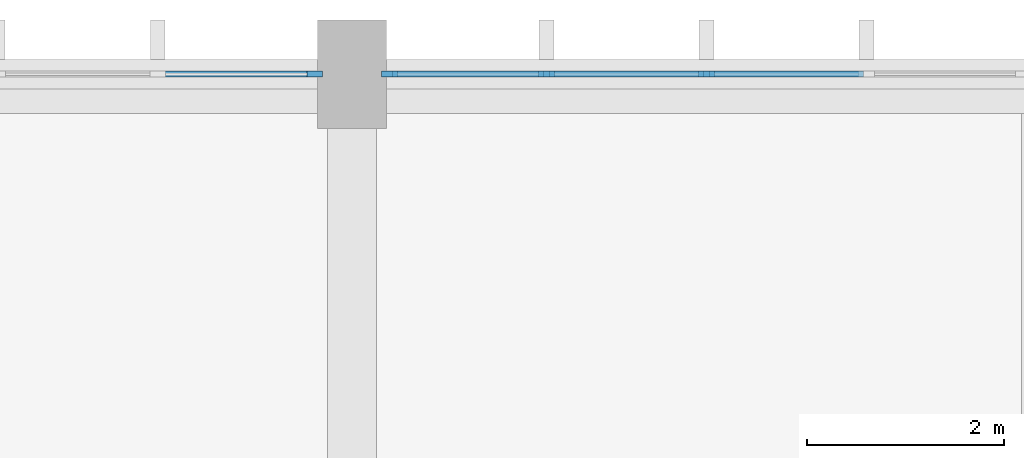
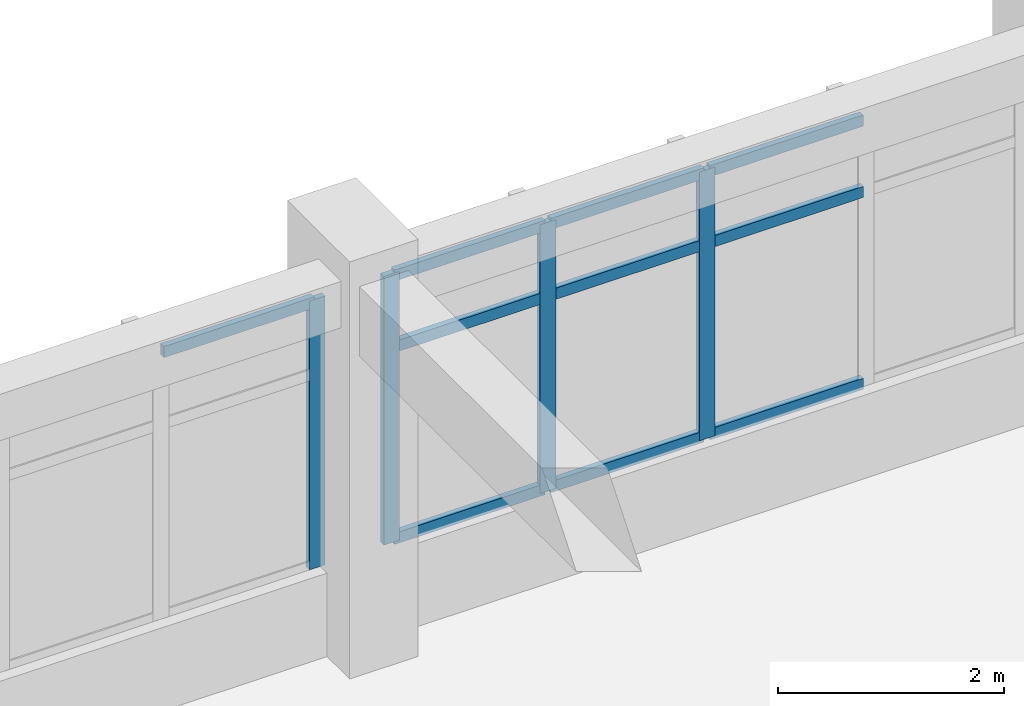
# One storey, part 20 of 52: 14 members, 2 elements without a shape of their own.
"""IFC4 building model written with IfcOpenShell, lengths in metres."""

import ifcopenshell
import ifcopenshell.guid

model = None  # the IFC model being written
_history = None  # IfcOwnerHistory: only IFC2X3 demands one
_inside = {}  # id of a spatial element -> (the spatial element, [elements in it])
_under = {}  # id of a project, library or spatial element -> (it, [spatial elements below it])
_declared = {}  # id of a project -> (the project, [libraries it declares])
_typed = {}  # id of a type object -> (the type object, [elements of that type])
_made_of = {}  # id of a material, layer set ... -> (it, [elements and type objects made of it])


def new_model(schema):
    """Start an empty IFC model of exactly this schema.

    Asked for "IFC4X3", IfcOpenShell would pick the latest addendum, in which some entities
    have other attributes; the version numbers below select the first issue.
    IFC2X3 requires an IfcOwnerHistory on every rooted entity: one is made here for all.
    """
    global model, _history
    if schema == "IFC4X3":
        model = ifcopenshell.file(schema_version=(4, 3, 0, 0))
    else:
        model = ifcopenshell.file(schema=schema)
    _inside.clear()
    _under.clear()
    _declared.clear()
    _typed.clear()
    _made_of.clear()
    _history = None
    if model.schema == "IFC2X3":
        org = make("IfcOrganization", Name="unknown")
        user = make(
            "IfcPersonAndOrganization",
            ThePerson=make("IfcPerson", FamilyName="unknown"),
            TheOrganization=org,
        )
        app = make(
            "IfcApplication",
            ApplicationDeveloper=org,
            Version="unknown",
            ApplicationFullName="unknown",
            ApplicationIdentifier="unknown",
        )
        _history = make(
            "IfcOwnerHistory",
            OwningUser=user,
            OwningApplication=app,
            ChangeAction="ADDED",
            CreationDate=0,
        )
    return model


def make(cls, **values):
    """One entity of the class cls with the attributes given. An attribute that is None is left unset."""
    return model.create_entity(
        cls, **{name: value for name, value in values.items() if value is not None}
    )


def rooted(cls, **values):
    """An entity with a GlobalId (a new one), such as an element, a storey or a relation."""
    return make(cls, GlobalId=ifcopenshell.guid.new(), OwnerHistory=_history, **values)


def si_unit(unit_type, name, prefix=None):
    """IfcSIUnit, for example si_unit("LENGTHUNIT", "METRE", prefix="MILLI")."""
    return make("IfcSIUnit", UnitType=unit_type, Prefix=prefix, Name=name)


def assignment(units):
    """IfcUnitAssignment: the units of a project."""
    return None if units is None else make("IfcUnitAssignment", Units=units)


def point(xyz):
    """IfcCartesianPoint."""
    return None if xyz is None else make("IfcCartesianPoint", Coordinates=xyz)


def direction(xyz):
    """IfcDirection."""
    return None if xyz is None else make("IfcDirection", DirectionRatios=xyz)


def frame(location, z_axis=None, x_axis=None):
    """IfcAxis2Placement3D, a coordinate frame: its origin and axes. An axis left out is left unset."""
    return make(
        "IfcAxis2Placement3D",
        Location=point(location),
        Axis=direction(z_axis),
        RefDirection=direction(x_axis),
    )


def frame_2d(location, x_axis=None):
    """IfcAxis2Placement2D, a coordinate frame in the plane: its origin and x axis."""
    return make(
        "IfcAxis2Placement2D", Location=point(location), RefDirection=direction(x_axis)
    )


def origin():
    """The frame at (0, 0, 0) with its axes left unset."""
    return frame((0.0, 0.0, 0.0))


def origin_2d():
    """The frame at (0, 0) in the plane with its x axis left unset."""
    return frame_2d((0.0, 0.0))


def place(relative_to, where):
    """IfcLocalPlacement: puts the frame where relative to a parent placement (None: the world)."""
    return make(
        "IfcLocalPlacement", PlacementRelTo=relative_to, RelativePlacement=where
    )


def context(
    kind, dimensions, precision=None, world=None, true_north=None, identifier=None
):
    """IfcGeometricRepresentationContext, for example the 3D "Model" context."""
    return make(
        "IfcGeometricRepresentationContext",
        ContextIdentifier=identifier,
        ContextType=kind,
        CoordinateSpaceDimension=dimensions,
        Precision=precision,
        WorldCoordinateSystem=world,
        TrueNorth=true_north,
    )


def subcontext(parent, identifier, kind, view, scale=None):
    """IfcGeometricRepresentationSubContext, for example "Body" below "Model"."""
    return make(
        "IfcGeometricRepresentationSubContext",
        ContextIdentifier=identifier,
        ContextType=kind,
        ParentContext=parent,
        TargetScale=scale,
        TargetView=view,
    )


def project(units=None, contexts=None):
    """IfcProject with its units and contexts."""
    return rooted(
        "IfcProject",
        Name="project",
        RepresentationContexts=contexts,
        UnitsInContext=assignment(units),
    )


def spatial(cls, under=None, at=None, **own):
    """A site, building, storey or space (cls), placed at a placement, below another one or the project."""
    s = rooted(cls, ObjectPlacement=at, **own)
    if under is not None:
        _under.setdefault(under.id(), (under, []))[1].append(s)
    return s


def profile(cls, at=None, kind="AREA", **sizes):
    """A parametric profile (cls). Its sizes go by their IFC names, for example OverallWidth=200.0."""
    return make(cls, ProfileType=kind, Position=at, **sizes)


def rectangle(**sizes):
    """IfcRectangleProfileDef."""
    return profile("IfcRectangleProfileDef", **sizes)


def extrude(swept, where, along, depth):
    """IfcExtrudedAreaSolid: the profile swept, set in the frame where, extruded along a direction by depth."""
    return make(
        "IfcExtrudedAreaSolid",
        SweptArea=swept,
        Position=where,
        ExtrudedDirection=direction(along),
        Depth=depth,
    )


def shape(context_of_items, identifier, shape_type, items):
    """IfcShapeRepresentation: the items that make up one representation, for example the "Body"."""
    return make(
        "IfcShapeRepresentation",
        ContextOfItems=context_of_items,
        RepresentationIdentifier=identifier,
        RepresentationType=shape_type,
        Items=items,
    )


def material(Name=None, Category=None):
    """IfcMaterial."""
    return make("IfcMaterial", Name=Name, Category=Category)


def layer(
    of_material, thickness, ventilated=None, Name=None, Category=None, Priority=None
):
    """IfcMaterialLayer: one layer of a wall or slab, of a material (None: an air gap)."""
    return make(
        "IfcMaterialLayer",
        Material=of_material,
        LayerThickness=thickness,
        IsVentilated=ventilated,
        Name=Name,
        Category=Category,
        Priority=Priority,
    )


def layer_set(layers, Name=None):
    """IfcMaterialLayerSet."""
    return make("IfcMaterialLayerSet", MaterialLayers=layers, LayerSetName=Name)


def material_profile(
    of_material, cross_section, Name=None, Category=None, Priority=None
):
    """IfcMaterialProfile: a cross section and its material."""
    return make(
        "IfcMaterialProfile",
        Name=Name,
        Material=of_material,
        Profile=cross_section,
        Priority=Priority,
        Category=Category,
    )


def profile_set(profiles, Name=None, composite=None):
    """IfcMaterialProfileSet."""
    return make(
        "IfcMaterialProfileSet",
        Name=Name,
        MaterialProfiles=profiles,
        CompositeProfile=composite,
    )


def made_of(thing, what):
    """Note that an element or type object is made of a material, layer set ...; save() writes the relation."""
    if what is not None:
        _made_of.setdefault(what.id(), (what, []))[1].append(thing)
    return thing


def type_object(cls, material=None, **own):
    """A type object (cls), such as IfcWallType, which elements share."""
    return made_of(rooted(cls, **own), material)


def element(
    cls,
    number,
    at=None,
    inside=None,
    cuts=None,
    type_object=None,
    material=None,
    context=None,
    identifier="Body",
    shape_type=None,
    held_by="IfcProductDefinitionShape",
    body=None,
    shapes=None,
    **own,
):
    """One element of the class cls, such as IfcWall. Its Tag is "e" and its number.

    at: its placement. inside: the storey or other place that contains it. cuts: it is an
    opening in that element (IfcRelVoidsElement). A single representation is given by context,
    identifier, shape_type and body (its items); several are given by shapes. held_by: the class
    of the entity that holds the representations. save() writes the other relations.
    """
    e = rooted(cls, Tag="e%d" % number, ObjectPlacement=at, **own)
    if body is not None:
        shapes = [shape(context, identifier, shape_type, body)]
    if shapes is not None:
        e.Representation = make(held_by, Representations=shapes)
    if inside is not None:
        _inside.setdefault(inside.id(), (inside, []))[1].append(e)
    if cuts is not None:
        rooted(
            "IfcRelVoidsElement", RelatingBuildingElement=cuts, RelatedOpeningElement=e
        )
    if type_object is not None:
        _typed.setdefault(type_object.id(), (type_object, []))[1].append(e)
    return made_of(e, material)


def aggregate(whole, parts):
    """IfcRelAggregates: a whole, such as a stair, and the parts it consists of."""
    return rooted("IfcRelAggregates", RelatingObject=whole, RelatedObjects=parts)


def save(model, path):
    """Write the relations noted so far, then the file.

    IfcRelAggregates (storeys below a building ...), IfcRelContainedInSpatialStructure (elements
    in a storey), IfcRelDefinesByType, IfcRelAssociatesMaterial and IfcRelDeclares: one each for
    every whole, place, type object, material and project.
    """
    for whole, parts in _under.values():
        aggregate(whole, parts)
    for where, things in _inside.values():
        rooted(
            "IfcRelContainedInSpatialStructure",
            RelatedElements=things,
            RelatingStructure=where,
        )
    for kind, things in _typed.values():
        rooted("IfcRelDefinesByType", RelatedObjects=things, RelatingType=kind)
    for what, things in _made_of.values():
        rooted("IfcRelAssociatesMaterial", RelatedObjects=things, RelatingMaterial=what)
    for by, libraries in _declared.values():
        rooted("IfcRelDeclares", RelatingContext=by, RelatedDefinitions=libraries)
    model.write(path)


model = new_model("IFC4")

# Units and contexts
model_context = context("Model", 3, precision=1e-05, world=origin(), true_north=direction((0.0, 1.0)))
body_context = subcontext(model_context, "Body", "Model", "MODEL_VIEW")
ifc_project = project(units=[si_unit("LENGTHUNIT", "METRE"), si_unit("AREAUNIT", "SQUARE_METRE"), si_unit("VOLUMEUNIT", "CUBIC_METRE"), si_unit("PLANEANGLEUNIT", "RADIAN"), si_unit("MASSUNIT", "GRAM", prefix="KILO")], contexts=[model_context])

# Site, building, storey
site_placement = place(None, origin())
site = spatial("IfcSite", under=ifc_project, at=site_placement, CompositionType="ELEMENT")
building_placement = place(site_placement, origin())
building = spatial("IfcBuilding", under=site, at=building_placement, Name="Vermilion Court Aquatics Centre", CompositionType="ELEMENT")
storey_placement = place(building_placement, frame((0.0, 0.0, 12.0)))
storey = spatial("IfcBuildingStorey", under=building, at=storey_placement, Name="L02", CompositionType="ELEMENT", Elevation=12.0)

# Curtain wall, member
ifc_material_1 = material(Name="Aluminium 6063-T5", Category="aluminium")
ifc_layer = layer(ifc_material_1, 0.14990234375)
ifc_layer_set = layer_set([ifc_layer], Name="Podium curtain wall bay, 1800 module")
curtain_wall_type = type_object("IfcCurtainWallType", Name="Podium curtain wall bay, 1800 module", PredefinedType="NOTDEFINED", material=ifc_layer_set)
curtain_wall_1_placement = place(storey_placement, origin())
curtain_wall_1 = element("IfcCurtainWall", 1, at=curtain_wall_1_placement, inside=storey, type_object=curtain_wall_type, Name="Curtain wall L02", PredefinedType="NOTDEFINED")
ifc_material_2 = material(Name="Aluminium 6063-T5", Category="aluminium")
ifc_material_profile_1 = material_profile(ifc_material_2, rectangle(XDim=0.06005859375, YDim=0.159912109375, at=origin_2d()), Name="Mullion 60x160")
ifc_profile_set_1 = profile_set([ifc_material_profile_1], Name="Aluminium 6063-T5")
member_type_1 = type_object("IfcMemberType", Name="Podium curtain wall mullion 60x160", PredefinedType="MULLION", material=ifc_profile_set_1)
member_1_placement = place(storey_placement, frame((186.820068359375, 115.199951171875, 0.89990234375), z_axis=(0.0, 0.0, 1.0), x_axis=(0.0, 1.0, 0.0)))
member_1 = element("IfcMember", 2, at=member_1_placement, type_object=member_type_1, Name="PG2 mullion 5", PredefinedType="MULLION", context=body_context, shape_type="SweptSolid", body=[
    extrude(rectangle(XDim=0.06005859375, YDim=0.159912109375, at=origin_2d()), origin(), (0.0, 0.0, 1.0), 2.900146484375),
])

# Curtain wall, members
curtain_wall_2_placement = place(storey_placement, origin())
curtain_wall_2 = element("IfcCurtainWall", 3, at=curtain_wall_2_placement, inside=storey, type_object=curtain_wall_type, Name="Curtain wall L02", PredefinedType="NOTDEFINED")
member_2_placement = place(storey_placement, frame((187.580078125, 115.199951171875, 0.89990234375), z_axis=(0.0, 0.0, 1.0), x_axis=(0.0, 1.0, 0.0)))
member_2 = element("IfcMember", 4, at=member_2_placement, type_object=member_type_1, Name="PG2 mullion 1", PredefinedType="MULLION", context=body_context, shape_type="SweptSolid", body=[
    extrude(rectangle(XDim=0.06005859375, YDim=0.159912109375, at=origin_2d()), origin(), (0.0, 0.0, 1.0), 2.900146484375),
])
member_3_placement = place(storey_placement, frame((189.175048828125, 115.199951171875, 0.89990234375), z_axis=(0.0, 0.0, 1.0), x_axis=(0.0, 1.0, 0.0)))
member_3 = element("IfcMember", 5, at=member_3_placement, type_object=member_type_1, Name="PG2 mullion 2", PredefinedType="MULLION", context=body_context, shape_type="SweptSolid", body=[
    extrude(rectangle(XDim=0.06005859375, YDim=0.159912109375, at=origin_2d()), origin(), (0.0, 0.0, 1.0), 2.900146484375),
])
member_4_placement = place(storey_placement, frame((190.800048828125, 115.199951171875, 0.89990234375), z_axis=(0.0, 0.0, 1.0), x_axis=(0.0, 1.0, 0.0)))
member_4 = element("IfcMember", 6, at=member_4_placement, type_object=member_type_1, Name="PG2 mullion 3", PredefinedType="MULLION", context=body_context, shape_type="SweptSolid", body=[
    extrude(rectangle(XDim=0.06005859375, YDim=0.159912109375, at=origin_2d()), origin(), (0.0, 0.0, 1.0), 2.900146484375),
])

# Member
ifc_material_3 = material(Name="Aluminium 6063-T5", Category="aluminium")
ifc_material_profile_2 = material_profile(ifc_material_3, rectangle(XDim=0.06005859375, YDim=0.1201171875, at=origin_2d()), Name="Transom 60x120")
ifc_profile_set_2 = profile_set([ifc_material_profile_2], Name="Aluminium 6063-T5")
member_type_2 = type_object("IfcMemberType", Name="Podium curtain wall transom 60x120", PredefinedType="USERDEFINED", material=ifc_profile_set_2)
member_5_placement = place(storey_placement, frame((185.2548828125, 115.199951171875, 3.77001953125), z_axis=(1.0, 0.0, 0.0), x_axis=(0.0, 1.0, 0.0)))
member_5 = element("IfcMember", 7, at=member_5_placement, type_object=member_type_2, Name="PG2 transom 4.3", ObjectType="TRANSOM", PredefinedType="USERDEFINED", context=body_context, shape_type="SweptSolid", body=[
    extrude(rectangle(XDim=0.06005859375, YDim=0.1201171875, at=origin_2d()), origin(), (0.0, 0.0, 1.0), 1.53515625),
])

aggregate(curtain_wall_1, [member_1, member_5])

member_6_placement = place(storey_placement, frame((187.610107421875, 115.199951171875, 0.929931640625), z_axis=(1.0, 0.0, 0.0), x_axis=(0.0, 1.0, 0.0)))
member_6 = element("IfcMember", 8, at=member_6_placement, type_object=member_type_2, Name="PG2 transom 1.1", ObjectType="TRANSOM", PredefinedType="USERDEFINED", context=body_context, shape_type="SweptSolid", body=[
    extrude(rectangle(XDim=0.06005859375, YDim=0.1201171875, at=origin_2d()), origin(), (0.0, 0.0, 1.0), 1.534912109375),
])

member_7_placement = place(storey_placement, frame((187.610107421875, 115.199951171875, 3.0), z_axis=(1.0, 0.0, 0.0), x_axis=(0.0, 1.0, 0.0)))
member_7 = element("IfcMember", 9, at=member_7_placement, type_object=member_type_2, Name="PG2 transom 1.2", ObjectType="TRANSOM", PredefinedType="USERDEFINED", context=body_context, shape_type="SweptSolid", body=[
    extrude(rectangle(XDim=0.06005859375, YDim=0.1201171875, at=origin_2d()), origin(), (0.0, 0.0, 1.0), 1.534912109375),
])

member_8_placement = place(storey_placement, frame((187.610107421875, 115.199951171875, 3.77001953125), z_axis=(1.0, 0.0, 0.0), x_axis=(0.0, 1.0, 0.0)))
member_8 = element("IfcMember", 10, at=member_8_placement, type_object=member_type_2, Name="PG2 transom 1.3", ObjectType="TRANSOM", PredefinedType="USERDEFINED", context=body_context, shape_type="SweptSolid", body=[
    extrude(rectangle(XDim=0.06005859375, YDim=0.1201171875, at=origin_2d()), origin(), (0.0, 0.0, 1.0), 1.534912109375),
])

member_9_placement = place(storey_placement, frame((189.205078125, 115.199951171875, 0.929931640625), z_axis=(1.0, 0.0, 0.0), x_axis=(0.0, 1.0, 0.0)))
member_9 = element("IfcMember", 11, at=member_9_placement, type_object=member_type_2, Name="PG2 transom 2.1", ObjectType="TRANSOM", PredefinedType="USERDEFINED", context=body_context, shape_type="SweptSolid", body=[
    extrude(rectangle(XDim=0.06005859375, YDim=0.1201171875, at=origin_2d()), origin(), (0.0, 0.0, 1.0), 1.56494140625),
])

member_10_placement = place(storey_placement, frame((189.205078125, 115.199951171875, 3.0), z_axis=(1.0, 0.0, 0.0), x_axis=(0.0, 1.0, 0.0)))
member_10 = element("IfcMember", 12, at=member_10_placement, type_object=member_type_2, Name="PG2 transom 2.2", ObjectType="TRANSOM", PredefinedType="USERDEFINED", context=body_context, shape_type="SweptSolid", body=[
    extrude(rectangle(XDim=0.06005859375, YDim=0.1201171875, at=origin_2d()), origin(), (0.0, 0.0, 1.0), 1.56494140625),
])

member_11_placement = place(storey_placement, frame((189.205078125, 115.199951171875, 3.77001953125), z_axis=(1.0, 0.0, 0.0), x_axis=(0.0, 1.0, 0.0)))
member_11 = element("IfcMember", 13, at=member_11_placement, type_object=member_type_2, Name="PG2 transom 2.3", ObjectType="TRANSOM", PredefinedType="USERDEFINED", context=body_context, shape_type="SweptSolid", body=[
    extrude(rectangle(XDim=0.06005859375, YDim=0.1201171875, at=origin_2d()), origin(), (0.0, 0.0, 1.0), 1.56494140625),
])

member_12_placement = place(storey_placement, frame((190.830078125, 115.199951171875, 0.929931640625), z_axis=(1.0, 0.0, 0.0), x_axis=(0.0, 1.0, 0.0)))
member_12 = element("IfcMember", 14, at=member_12_placement, type_object=member_type_2, Name="PG2 transom 3.1", ObjectType="TRANSOM", PredefinedType="USERDEFINED", context=body_context, shape_type="SweptSolid", body=[
    extrude(rectangle(XDim=0.06005859375, YDim=0.1201171875, at=origin_2d()), origin(), (0.0, 0.0, 1.0), 1.56494140625),
])

member_13_placement = place(storey_placement, frame((190.830078125, 115.199951171875, 3.0), z_axis=(1.0, 0.0, 0.0), x_axis=(0.0, 1.0, 0.0)))
member_13 = element("IfcMember", 15, at=member_13_placement, type_object=member_type_2, Name="PG2 transom 3.2", ObjectType="TRANSOM", PredefinedType="USERDEFINED", context=body_context, shape_type="SweptSolid", body=[
    extrude(rectangle(XDim=0.06005859375, YDim=0.1201171875, at=origin_2d()), origin(), (0.0, 0.0, 1.0), 1.56494140625),
])

member_14_placement = place(storey_placement, frame((190.830078125, 115.199951171875, 3.77001953125), z_axis=(1.0, 0.0, 0.0), x_axis=(0.0, 1.0, 0.0)))
member_14 = element("IfcMember", 16, at=member_14_placement, type_object=member_type_2, Name="PG2 transom 3.3", ObjectType="TRANSOM", PredefinedType="USERDEFINED", context=body_context, shape_type="SweptSolid", body=[
    extrude(rectangle(XDim=0.06005859375, YDim=0.1201171875, at=origin_2d()), origin(), (0.0, 0.0, 1.0), 1.56494140625),
])

aggregate(curtain_wall_2, [member_2, member_3, member_4, member_6, member_7, member_8, member_9, member_10, member_11, member_12, member_13, member_14])

save(model, "model.ifc")
